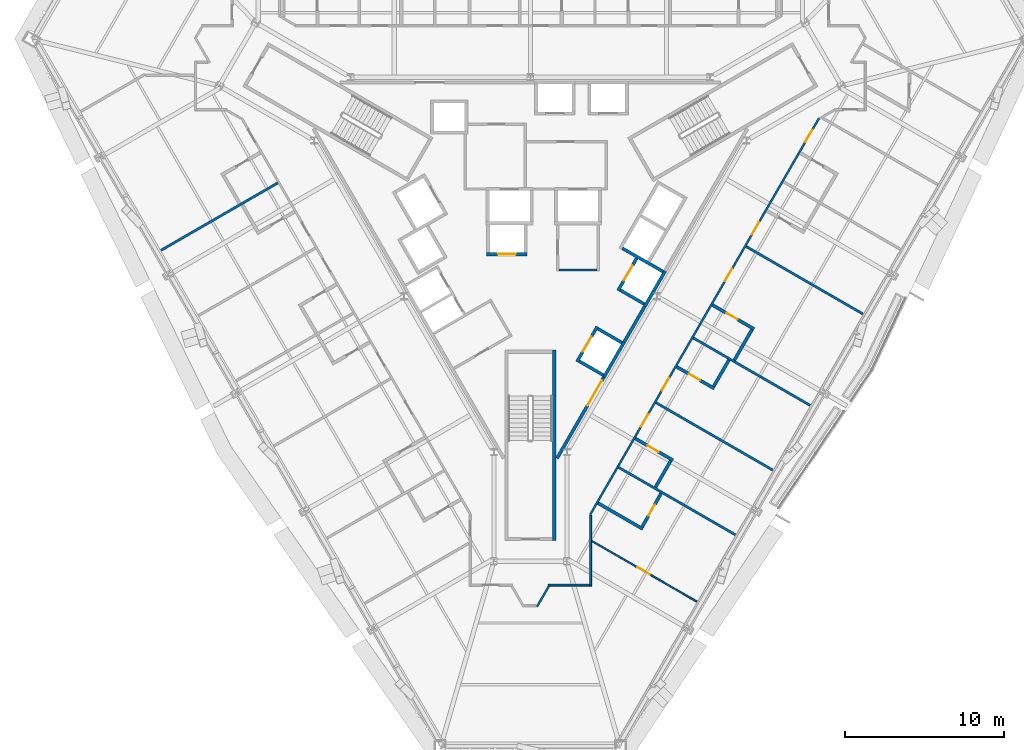
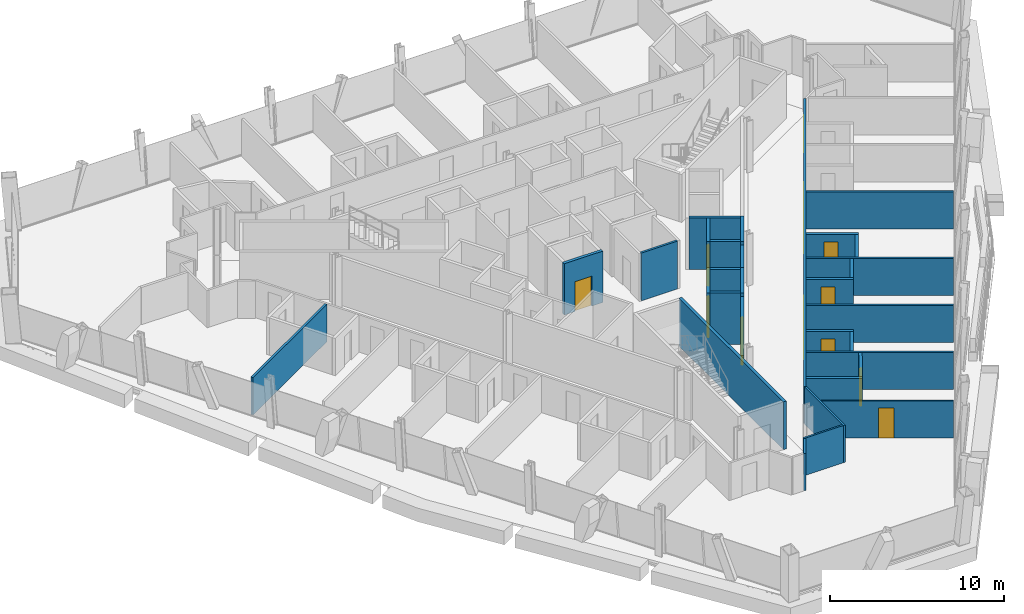
# One storey, part 9 of 15: 31 walls, 14 doors, 14 openings.
"""IFC4 building model written with IfcOpenShell, lengths in metres."""

from ifc_helpers import new_model, si_unit, direction, frame, frame_2d, origin, place, context, subcontext, project, spatial, rectangle, extrude, material, layer, layer_set, type_object, element, fill, save


model = new_model("IFC4")

# Units and contexts
model_context = context("Model", 3, precision=1e-05, world=origin(), true_north=direction((0.0, 1.0)))
body_context = subcontext(model_context, "Body", "Model", "MODEL_VIEW")
ifc_project = project(units=[si_unit("LENGTHUNIT", "METRE"), si_unit("AREAUNIT", "SQUARE_METRE"), si_unit("VOLUMEUNIT", "CUBIC_METRE"), si_unit("PLANEANGLEUNIT", "RADIAN"), si_unit("MASSUNIT", "GRAM", prefix="KILO")], contexts=[model_context])

# Site, building, storey
site_placement = place(None, origin())
site = spatial("IfcSite", under=ifc_project, at=site_placement, CompositionType="ELEMENT")
building_placement = place(site_placement, origin())
building = spatial("IfcBuilding", under=site, at=building_placement, Name="Verrane Prism Tower", CompositionType="ELEMENT")
storey_placement = place(building_placement, frame((0.0, 0.0, 72.800048828125)))
storey = spatial("IfcBuildingStorey", under=building, at=storey_placement, Name="L16", CompositionType="ELEMENT", Elevation=72.800048828125)

# Wall, opening, door
ifc_material_1 = material(Name="Gypsum board partition", Category="other")
ifc_layer_1 = layer(ifc_material_1, 0.199951171875)
ifc_layer_set_1 = layer_set([ifc_layer_1], Name="CW-200 core boundary wall 2 h")
wall_type_1 = type_object("IfcWallType", Name="CW-200 core boundary wall 2 h", PredefinedType="PARTITIONING", material=ifc_layer_set_1)
wall_1_placement = place(storey_placement, frame((1.677490234375, -14.814697265625, 0.0), z_axis=(0.0, 0.0, 1.0), x_axis=(0.49999445743, 0.866028603765, 0.0)))
wall_1 = element("IfcWall", 1, at=wall_1_placement, inside=storey, type_object=wall_type_1, Name="Core boundary wall CW3-003", PredefinedType="PARTITIONING", context=body_context, shape_type="SweptSolid", body=[
    extrude(rectangle(XDim=5.90478515625, YDim=0.199951171875, at=frame_2d((2.952392578125, 0.0))), origin(), (0.0, 0.0, 1.0), 3.349853515625),
])
opening_1_placement = place(wall_1_placement, frame((3.85498046875, 0.0, 0.0)))
opening_1 = element("IfcOpeningElement", 2, at=opening_1_placement, cuts=wall_1, Name="Opening D14517", PredefinedType="OPENING", context=body_context, shape_type="SweptSolid", body=[
    extrude(rectangle(XDim=1.800048828125, YDim=2.10009765625, at=frame_2d((0.89990234375, 1.050048828125))), frame((0.0, 0.10986328125, 0.0), z_axis=(0.0, -1.0, 0.0), x_axis=(1.0, 0.0, 0.0)), (0.0, 0.0, 1.0), 0.219970703125),
])
ifc_material_2 = material(Name="Timber veneered door leaf", Category="wood")
door_type_1 = type_object("IfcDoorType", Name="DR-1800x2100 FD60 double leaf lift lobby", OperationType="NOTDEFINED", PredefinedType="DOOR", material=ifc_material_2)
door_1_placement = place(opening_1_placement, origin())
door_1 = element("IfcDoor", 3, at=door_1_placement, inside=storey, type_object=door_type_1, Name="Lift lobby door D14517", OperationType="DOUBLE_DOOR_SINGLE_SWING", OverallHeight=2.10009765625, OverallWidth=1.800048828125, PredefinedType="DOOR", context=body_context, shape_type="SweptSolid", body=[
    extrude(rectangle(XDim=1.800048828125, YDim=2.10009765625, at=frame_2d((0.89990234375, 1.050048828125))), frame((0.0, 0.02490234375, 0.0), z_axis=(0.0, -1.0, 0.0), x_axis=(1.0, 0.0, 0.0)), (0.0, 0.0, 1.0), 0.050048828125),
])
fill(opening_1, door_1)

# Walls
wall_2_placement = place(storey_placement, frame((5.906005859375, -7.489990234375, 0.0), z_axis=(0.0, 0.0, 1.0), x_axis=(0.500252727967, 0.865879442048, 0.0)))
element("IfcWall", 4, at=wall_2_placement, inside=storey, type_object=wall_type_1, Name="Core boundary wall CW3-005", PredefinedType="PARTITIONING", context=body_context, shape_type="SweptSolid", body=[
    extrude(rectangle(XDim=2.616943359375, YDim=0.199951171875, at=frame_2d((1.30859375, 0.0))), origin(), (0.0, 0.0, 1.0), 3.349853515625),
])
ifc_material_3 = material(Name="Concrete C40/50", Category="concrete")
ifc_layer_2 = layer(ifc_material_3, 0.199951171875)
ifc_layer_set_2 = layer_set([ifc_layer_2], Name="CW-200 stair core wall concrete C40/50 3 h")
wall_type_2 = type_object("IfcWallType", Name="CW-200 stair core wall concrete C40/50 3 h", PredefinedType="PARTITIONING", material=ifc_layer_set_2)
wall_3_placement = place(storey_placement, frame((1.5, -8.0, 0.0), z_axis=(0.0, 0.0, 1.0), x_axis=(0.0, -1.0, 0.0)))
element("IfcWall", 5, at=wall_3_placement, inside=storey, type_object=wall_type_2, Name="Stair 3 enclosure wall", PredefinedType="PARTITIONING", context=body_context, shape_type="SweptSolid", body=[
    extrude(rectangle(XDim=12.0, YDim=0.199951171875, at=frame_2d((6.0, 0.0))), origin(), (0.0, 0.0, 1.0), 3.349853515625),
])

# Wall, opening, door
ifc_material_4 = material(Name="Gypsum board shaft wall assembly", Category="other")
ifc_layer_3 = layer(ifc_material_4, 0.199951171875)
ifc_layer_set_3 = layer_set([ifc_layer_3], Name="HW-200 lift shaft wall 2 h")
wall_type_3 = type_object("IfcWallType", Name="HW-200 lift shaft wall 2 h", PredefinedType="PARTITIONING", material=ifc_layer_set_3)
wall_4_placement = place(storey_placement, frame((-2.7548828125, -1.949951171875, 0.0), z_axis=(0.0, 0.0, 1.0), x_axis=(1.0, 0.0, 0.0)))
wall_4 = element("IfcWall", 6, at=wall_4_placement, inside=storey, type_object=wall_type_3, Name="Lift shaft wall", PredefinedType="PARTITIONING", context=body_context, shape_type="SweptSolid", body=[
    extrude(rectangle(XDim=2.5498046875, YDim=0.199951171875, at=frame_2d((1.27490234375, 0.0))), origin(), (0.0, 0.0, 1.0), 3.599853515625),
])
opening_2_placement = place(wall_4_placement, frame((0.72509765625, 0.0, 0.0)))
opening_2 = element("IfcOpeningElement", 7, at=opening_2_placement, cuts=wall_4, Name="Opening D14504", PredefinedType="OPENING", context=body_context, shape_type="SweptSolid", body=[
    extrude(rectangle(XDim=1.10009765625, YDim=2.10009765625, at=frame_2d((0.550048828125, 1.050048828125))), frame((0.0, 0.10986328125, 0.0), z_axis=(0.0, -1.0, 0.0), x_axis=(1.0, 0.0, 0.0)), (0.0, 0.0, 1.0), 0.219970703125),
])
ifc_material_5 = material(Name="Stainless steel sliding landing door", Category="steel")
door_type_2 = type_object("IfcDoorType", Name="LD-1100x2100 lift landing door FD90 sliding", OperationType="NOTDEFINED", PredefinedType="DOOR", material=ifc_material_5)
door_2_placement = place(opening_2_placement, origin())
door_2 = element("IfcDoor", 8, at=door_2_placement, inside=storey, type_object=door_type_2, Name="Bank A lift 2 landing door", OperationType="SLIDING_TO_RIGHT", OverallHeight=2.10009765625, OverallWidth=1.10009765625, PredefinedType="DOOR", context=body_context, shape_type="SweptSolid", body=[
    extrude(rectangle(XDim=1.10009765625, YDim=2.10009765625, at=frame_2d((0.550048828125, 1.050048828125))), frame((0.0, 0.02490234375, 0.0), z_axis=(0.0, -1.0, 0.0), x_axis=(1.0, 0.0, 0.0)), (0.0, 0.0, 1.0), 0.050048828125),
])
fill(opening_2, door_2)

# Walls
wall_5_placement = place(storey_placement, frame((4.63037109375, -9.69970703125, 0.0), z_axis=(0.0, 0.0, 1.0), x_axis=(0.500062241894, 0.865989465428, 0.0)))
element("IfcWall", 9, at=wall_5_placement, inside=storey, type_object=wall_type_3, Name="Lift shaft wall", PredefinedType="PARTITIONING", context=body_context, shape_type="SweptSolid", body=[
    extrude(rectangle(XDim=2.550048828125, YDim=0.199951171875, at=frame_2d((1.27490234375, 0.0))), origin(), (0.0, 0.0, 1.0), 3.599853515625),
])
wall_6_placement = place(storey_placement, frame((7.215576171875, -5.222412109375, 0.0), z_axis=(0.0, 0.0, 1.0), x_axis=(0.499990435942, 0.866030925526, 0.0)))
element("IfcWall", 10, at=wall_6_placement, inside=storey, type_object=wall_type_3, Name="Lift shaft wall", PredefinedType="PARTITIONING", context=body_context, shape_type="SweptSolid", body=[
    extrude(rectangle(XDim=2.5498046875, YDim=0.199951171875, at=frame_2d((1.27490234375, 0.0))), origin(), (0.0, 0.0, 1.0), 3.599853515625),
])

# Wall, opening, door
wall_7_placement = place(storey_placement, frame((2.941650390625, -8.724853515625, 0.0), z_axis=(0.0, 0.0, 1.0), x_axis=(0.500020783669, 0.866013403995, 0.0)))
wall_7 = element("IfcWall", 11, at=wall_7_placement, inside=storey, type_object=wall_type_3, Name="Lift shaft wall", PredefinedType="PARTITIONING", context=body_context, shape_type="SweptSolid", body=[
    extrude(rectangle(XDim=2.55029296875, YDim=0.199951171875, at=frame_2d((1.275146484375, 0.0))), origin(), (0.0, 0.0, 1.0), 3.599853515625),
])
opening_3_placement = place(wall_7_placement, frame((0.72509765625, 0.0, 0.0)))
opening_3 = element("IfcOpeningElement", 12, at=opening_3_placement, cuts=wall_7, Name="Opening D14506", PredefinedType="OPENING", context=body_context, shape_type="SweptSolid", body=[
    extrude(rectangle(XDim=1.10009765625, YDim=2.10009765625, at=frame_2d((0.550048828125, 1.050048828125))), frame((0.0, 0.10986328125, 0.0), z_axis=(0.0, -1.0, 0.0), x_axis=(1.0, 0.0, 0.0)), (0.0, 0.0, 1.0), 0.219970703125),
])
door_3_placement = place(opening_3_placement, origin())
door_3 = element("IfcDoor", 13, at=door_3_placement, inside=storey, type_object=door_type_2, Name="Bank A lift 4 landing door", OperationType="SLIDING_TO_RIGHT", OverallHeight=2.10009765625, OverallWidth=1.10009765625, PredefinedType="DOOR", context=body_context, shape_type="SweptSolid", body=[
    extrude(rectangle(XDim=1.10009765625, YDim=2.10009765625, at=frame_2d((0.550048828125, 1.050048828125))), frame((0.0, 0.02490234375, 0.0), z_axis=(0.0, -1.0, 0.0), x_axis=(1.0, 0.0, 0.0)), (0.0, 0.0, 1.0), 0.050048828125),
])
fill(opening_3, door_3)

wall_8_placement = place(storey_placement, frame((5.52685546875, -4.247314453125, 0.0), z_axis=(0.0, 0.0, 1.0), x_axis=(0.499938297808, 0.866061024631, 0.0)))
wall_8 = element("IfcWall", 14, at=wall_8_placement, inside=storey, type_object=wall_type_3, Name="Lift shaft wall", PredefinedType="PARTITIONING", context=body_context, shape_type="SweptSolid", body=[
    extrude(rectangle(XDim=2.349853515625, YDim=0.199951171875, at=frame_2d((1.1748046875, 0.0))), origin(), (0.0, 0.0, 1.0), 3.599853515625),
])
opening_4_placement = place(wall_8_placement, frame((0.72509765625, 0.0, 0.0)))
opening_4 = element("IfcOpeningElement", 15, at=opening_4_placement, cuts=wall_8, Name="Opening D14507", PredefinedType="OPENING", context=body_context, shape_type="SweptSolid", body=[
    extrude(rectangle(XDim=1.10009765625, YDim=2.10009765625, at=frame_2d((0.550048828125, 1.050048828125))), frame((0.0, 0.10986328125, 0.0), z_axis=(0.0, -1.0, 0.0), x_axis=(1.0, 0.0, 0.0)), (0.0, 0.0, 1.0), 0.219970703125),
])
door_4_placement = place(opening_4_placement, origin())
door_4 = element("IfcDoor", 16, at=door_4_placement, inside=storey, type_object=door_type_2, Name="Bank A lift 5 landing door", OperationType="SLIDING_TO_LEFT", OverallHeight=2.10009765625, OverallWidth=1.10009765625, PredefinedType="DOOR", context=body_context, shape_type="SweptSolid", body=[
    extrude(rectangle(XDim=1.10009765625, YDim=2.10009765625, at=frame_2d((0.550048828125, 1.050048828125))), frame((0.0, 0.02490234375, 0.0), z_axis=(0.0, -1.0, 0.0), x_axis=(1.0, 0.0, 0.0)), (0.0, 0.0, 1.0), 0.050048828125),
])
fill(opening_4, door_4)

# Walls
wall_9_placement = place(storey_placement, frame((8.35400390625, -3.050537109375, 0.0), z_axis=(0.0, 0.0, 1.0), x_axis=(-0.866060182126, 0.499939757307, 0.0)))
element("IfcWall", 17, at=wall_9_placement, inside=storey, type_object=wall_type_3, Name="Lift shaft wall", PredefinedType="PARTITIONING", context=body_context, shape_type="SweptSolid", body=[
    extrude(rectangle(XDim=2.949951171875, YDim=0.199951171875, at=frame_2d((1.47509765625, 0.0))), origin(), (0.0, 0.0, 1.0), 3.599853515625),
])
wall_10_placement = place(storey_placement, frame((7.178955078125, -5.085693359375, 0.0), z_axis=(0.0, 0.0, 1.0), x_axis=(-0.866036909293, 0.499980071345, 0.0)))
element("IfcWall", 18, at=wall_10_placement, inside=storey, type_object=wall_type_3, Name="Lift shaft wall", PredefinedType="PARTITIONING", context=body_context, shape_type="SweptSolid", body=[
    extrude(rectangle(XDim=1.75, YDim=0.199951171875, at=frame_2d((0.875, 0.0))), origin(), (0.0, 0.0, 1.0), 3.599853515625),
])
wall_11_placement = place(storey_placement, frame((5.768798828125, -7.528076171875, 0.0), z_axis=(0.0, 0.0, 1.0), x_axis=(-0.866002029911, 0.500040482552, 0.0)))
element("IfcWall", 19, at=wall_11_placement, inside=storey, type_object=wall_type_3, Name="Lift shaft wall", PredefinedType="PARTITIONING", context=body_context, shape_type="SweptSolid", body=[
    extrude(rectangle(XDim=1.749755859375, YDim=0.199951171875, at=frame_2d((0.875, 0.0))), origin(), (0.0, 0.0, 1.0), 3.599853515625),
])
wall_12_placement = place(storey_placement, frame((4.593994140625, -9.563232421875, 0.0), z_axis=(0.0, 0.0, 1.0), x_axis=(-0.866036909293, 0.499980071345, 0.0)))
element("IfcWall", 20, at=wall_12_placement, inside=storey, type_object=wall_type_3, Name="Lift shaft wall", PredefinedType="PARTITIONING", context=body_context, shape_type="SweptSolid", body=[
    extrude(rectangle(XDim=1.75, YDim=0.199951171875, at=frame_2d((0.875, 0.0))), origin(), (0.0, 0.0, 1.0), 3.599853515625),
])

# Wall, opening, door
ifc_material_6 = material(Name="Gypsum board partition", Category="other")
ifc_layer_4 = layer(ifc_material_6, 0.10009765625)
ifc_layer_set_4 = layer_set([ifc_layer_4], Name="PW-100 room partition")
wall_type_4 = type_object("IfcWallType", Name="PW-100 room partition", PredefinedType="PARTITIONING", material=ifc_layer_set_4)
wall_13_placement = place(storey_placement, frame((3.884521484375, -20.027587890625, 0.0), z_axis=(0.0, 0.0, 1.0), x_axis=(0.866080975745, -0.499903734186, 0.0)))
wall_13 = element("IfcWall", 21, at=wall_13_placement, inside=storey, type_object=wall_type_4, Name="Room partition 055", PredefinedType="PARTITIONING", context=body_context, shape_type="SweptSolid", body=[
    extrude(rectangle(XDim=7.61669921875, YDim=0.10009765625, at=frame_2d((3.808349609375, 0.0))), origin(), (0.0, 0.0, 1.0), 2.613037109375),
])
opening_5_placement = place(wall_13_placement, frame((3.299072265625, 0.0, 0.0)))
opening_5 = element("IfcOpeningElement", 22, at=opening_5_placement, cuts=wall_13, Name="Opening D14002", PredefinedType="OPENING", context=body_context, shape_type="SweptSolid", body=[
    extrude(rectangle(XDim=0.89990234375, YDim=2.10009765625, at=frame_2d((0.449951171875, 1.050048828125))), frame((0.0, 0.06005859375, 0.0), z_axis=(0.0, -1.0, 0.0), x_axis=(1.0, 0.0, 0.0)), (0.0, 0.0, 1.0), 0.1201171875),
])
ifc_material_7 = material(Name="Timber veneered door leaf", Category="wood")
door_type_3 = type_object("IfcDoorType", Name="DR-900x2100 single leaf inner", OperationType="NOTDEFINED", PredefinedType="DOOR", material=ifc_material_7)
door_5_placement = place(opening_5_placement, origin())
door_5 = element("IfcDoor", 23, at=door_5_placement, inside=storey, type_object=door_type_3, Name="Suite Living Room door", OperationType="SINGLE_SWING_RIGHT", OverallHeight=2.10009765625, OverallWidth=0.89990234375, PredefinedType="DOOR", context=body_context, shape_type="SweptSolid", body=[
    extrude(rectangle(XDim=0.89990234375, YDim=2.10009765625, at=frame_2d((0.449951171875, 1.050048828125))), frame((0.0, 0.02490234375, 0.0), z_axis=(0.0, -1.0, 0.0), x_axis=(1.0, 0.0, 0.0)), (0.0, 0.0, 1.0), 0.050048828125),
])
fill(opening_5, door_5)

# Walls
ifc_material_8 = material(Name="Gypsum board partition", Category="other")
ifc_layer_5 = layer(ifc_material_8, 0.125)
ifc_layer_set_5 = layer_set([ifc_layer_5], Name="PW-125 corridor wall 1 h")
wall_type_5 = type_object("IfcWallType", Name="PW-125 corridor wall 1 h", PredefinedType="PARTITIONING", material=ifc_layer_set_5)
wall_14_placement = place(storey_placement, frame((0.415771484375, -24.162109375, 0.0), z_axis=(0.0, 0.0, 1.0), x_axis=(0.499609040113, 0.866251006947, 0.0)))
element("IfcWall", 24, at=wall_14_placement, inside=storey, type_object=wall_type_5, Name="Corridor wall 050", PredefinedType="PARTITIONING", context=body_context, shape_type="SweptSolid", body=[
    extrude(rectangle(XDim=1.490966796875, YDim=0.125, at=frame_2d((0.74560546875, 0.0))), origin(), (0.0, 0.0, 1.0), 2.613037109375),
])
wall_15_placement = place(storey_placement, frame((1.140380859375, -22.797119140625, 0.0), z_axis=(0.0, 0.0, 1.0), x_axis=(1.0, 0.0, 0.0)))
element("IfcWall", 25, at=wall_15_placement, inside=storey, type_object=wall_type_5, Name="Corridor wall 051", PredefinedType="PARTITIONING", context=body_context, shape_type="SweptSolid", body=[
    extrude(rectangle(XDim=2.591552734375, YDim=0.125, at=frame_2d((1.2958984375, 0.0))), origin(), (0.0, 0.0, 1.0), 2.613037109375),
])
wall_16_placement = place(storey_placement, frame((3.797119140625, -22.859619140625, 0.0), z_axis=(0.0, 0.0, 1.0), x_axis=(0.0, 1.0, 0.0)))
element("IfcWall", 26, at=wall_16_placement, inside=storey, type_object=wall_type_5, Name="Corridor wall 054", PredefinedType="PARTITIONING", context=body_context, shape_type="SweptSolid", body=[
    extrude(rectangle(XDim=4.470703125, YDim=0.125, at=frame_2d((2.2353515625, 0.0))), origin(), (0.0, 0.0, 1.0), 2.613037109375),
])

# Wall, openings, doors
wall_17_placement = place(storey_placement, frame((18.17919921875, 6.606201171875, 0.0), z_axis=(0.0, 0.0, 1.0), x_axis=(-0.500003973642, -0.866023109589, 0.0)))
wall_17 = element("IfcWall", 27, at=wall_17_placement, inside=storey, type_object=wall_type_5, Name="Corridor wall 056", PredefinedType="PARTITIONING", context=body_context, shape_type="SweptSolid", body=[
    extrude(rectangle(XDim=28.826416015625, YDim=0.125, at=frame_2d((14.4130859375, 0.0))), origin(), (0.0, 0.0, 1.0), 2.613037109375),
])
opening_6_placement = place(wall_17_placement, frame((21.5009765625, 0.0, 0.0)))
opening_6 = element("IfcOpeningElement", 28, at=opening_6_placement, cuts=wall_17, Name="Opening D14004", PredefinedType="OPENING", context=body_context, shape_type="SweptSolid", body=[
    extrude(rectangle(XDim=0.89990234375, YDim=2.10009765625, at=frame_2d((0.449951171875, 1.050048828125))), frame((0.0, 0.072509765625, 0.0), z_axis=(0.0, -1.0, 0.0), x_axis=(1.0, 0.0, 0.0)), (0.0, 0.0, 1.0), 0.14501953125),
])
opening_7_placement = place(wall_17_placement, frame((18.89404296875, 0.0, 0.0)))
opening_7 = element("IfcOpeningElement", 29, at=opening_7_placement, cuts=wall_17, Name="Opening D14006", PredefinedType="OPENING", context=body_context, shape_type="SweptSolid", body=[
    extrude(rectangle(XDim=0.89990234375, YDim=2.10009765625, at=frame_2d((0.449951171875, 1.050048828125))), frame((0.0, 0.072509765625, 0.0), z_axis=(0.0, -1.0, 0.0), x_axis=(1.0, 0.0, 0.0)), (0.0, 0.0, 1.0), 0.14501953125),
])
opening_8_placement = place(wall_17_placement, frame((10.93701171875, 0.0, 0.0)))
opening_8 = element("IfcOpeningElement", 30, at=opening_8_placement, cuts=wall_17, Name="Opening D14008", PredefinedType="OPENING", context=body_context, shape_type="SweptSolid", body=[
    extrude(rectangle(XDim=0.89990234375, YDim=2.10009765625, at=frame_2d((0.449951171875, 1.050048828125))), frame((0.0, 0.072509765625, 0.0), z_axis=(0.0, -1.0, 0.0), x_axis=(1.0, 0.0, 0.0)), (0.0, 0.0, 1.0), 0.14501953125),
])
opening_9_placement = place(wall_17_placement, frame((7.534912109375, 0.0, 0.0)))
opening_9 = element("IfcOpeningElement", 31, at=opening_9_placement, cuts=wall_17, Name="Opening D14010", PredefinedType="OPENING", context=body_context, shape_type="SweptSolid", body=[
    extrude(rectangle(XDim=0.89990234375, YDim=2.10009765625, at=frame_2d((0.449951171875, 1.050048828125))), frame((0.0, 0.072509765625, 0.0), z_axis=(0.0, -1.0, 0.0), x_axis=(1.0, 0.0, 0.0)), (0.0, 0.0, 1.0), 0.14501953125),
])
opening_10_placement = place(wall_17_placement, frame((0.826904296875, 0.0, 0.0)))
opening_10 = element("IfcOpeningElement", 32, at=opening_10_placement, cuts=wall_17, Name="Opening D14012", PredefinedType="OPENING", context=body_context, shape_type="SweptSolid", body=[
    extrude(rectangle(XDim=0.89990234375, YDim=2.10009765625, at=frame_2d((0.449951171875, 1.050048828125))), frame((0.0, 0.072509765625, 0.0), z_axis=(0.0, -1.0, 0.0), x_axis=(1.0, 0.0, 0.0)), (0.0, 0.0, 1.0), 0.14501953125),
])
ifc_material_9 = material(Name="Timber veneered door leaf", Category="wood")
door_type_4 = type_object("IfcDoorType", Name="DR-900x2100 FD20 single leaf unit", OperationType="NOTDEFINED", PredefinedType="DOOR", material=ifc_material_9)
door_6_placement = place(opening_6_placement, origin())
door_6 = element("IfcDoor", 33, at=door_6_placement, inside=storey, type_object=door_type_4, Name="Guest Room door", OperationType="SINGLE_SWING_LEFT", OverallHeight=2.10009765625, OverallWidth=0.89990234375, PredefinedType="DOOR", context=body_context, shape_type="SweptSolid", body=[
    extrude(rectangle(XDim=0.89990234375, YDim=2.10009765625, at=frame_2d((0.449951171875, 1.050048828125))), frame((0.0, 0.02490234375, 0.0), z_axis=(0.0, -1.0, 0.0), x_axis=(1.0, 0.0, 0.0)), (0.0, 0.0, 1.0), 0.050048828125),
])
fill(opening_6, door_6)
door_7_placement = place(opening_7_placement, origin())
door_7 = element("IfcDoor", 34, at=door_7_placement, inside=storey, type_object=door_type_4, Name="Guest Room door", OperationType="SINGLE_SWING_LEFT", OverallHeight=2.10009765625, OverallWidth=0.89990234375, PredefinedType="DOOR", context=body_context, shape_type="SweptSolid", body=[
    extrude(rectangle(XDim=0.89990234375, YDim=2.10009765625, at=frame_2d((0.449951171875, 1.050048828125))), frame((0.0, 0.02490234375, 0.0), z_axis=(0.0, -1.0, 0.0), x_axis=(1.0, 0.0, 0.0)), (0.0, 0.0, 1.0), 0.050048828125),
])
fill(opening_7, door_7)
door_8_placement = place(opening_8_placement, origin())
door_8 = element("IfcDoor", 35, at=door_8_placement, inside=storey, type_object=door_type_4, Name="Junior Suite door", OperationType="SINGLE_SWING_LEFT", OverallHeight=2.10009765625, OverallWidth=0.89990234375, PredefinedType="DOOR", context=body_context, shape_type="SweptSolid", body=[
    extrude(rectangle(XDim=0.89990234375, YDim=2.10009765625, at=frame_2d((0.449951171875, 1.050048828125))), frame((0.0, 0.02490234375, 0.0), z_axis=(0.0, -1.0, 0.0), x_axis=(1.0, 0.0, 0.0)), (0.0, 0.0, 1.0), 0.050048828125),
])
fill(opening_8, door_8)
door_9_placement = place(opening_9_placement, origin())
door_9 = element("IfcDoor", 36, at=door_9_placement, inside=storey, type_object=door_type_4, Name="Guest Room door", OperationType="SINGLE_SWING_LEFT", OverallHeight=2.10009765625, OverallWidth=0.89990234375, PredefinedType="DOOR", context=body_context, shape_type="SweptSolid", body=[
    extrude(rectangle(XDim=0.89990234375, YDim=2.10009765625, at=frame_2d((0.449951171875, 1.050048828125))), frame((0.0, 0.02490234375, 0.0), z_axis=(0.0, -1.0, 0.0), x_axis=(1.0, 0.0, 0.0)), (0.0, 0.0, 1.0), 0.050048828125),
])
fill(opening_9, door_9)
door_10_placement = place(opening_10_placement, origin())
door_10 = element("IfcDoor", 37, at=door_10_placement, inside=storey, type_object=door_type_4, Name="Guest Room door", OperationType="SINGLE_SWING_LEFT", OverallHeight=2.10009765625, OverallWidth=0.89990234375, PredefinedType="DOOR", context=body_context, shape_type="SweptSolid", body=[
    extrude(rectangle(XDim=0.89990234375, YDim=2.10009765625, at=frame_2d((0.449951171875, 1.050048828125))), frame((0.0, 0.02490234375, 0.0), z_axis=(0.0, -1.0, 0.0), x_axis=(1.0, 0.0, 0.0)), (0.0, 0.0, 1.0), 0.050048828125),
])
fill(opening_10, door_10)

# Walls
ifc_material_10 = material(Name="Gypsum board partition", Category="other")
ifc_layer_6 = layer(ifc_material_10, 0.14990234375)
ifc_layer_set_6 = layer_set([ifc_layer_6], Name="PW-150 demising wall 1 h")
wall_type_6 = type_object("IfcWallType", Name="PW-150 demising wall 1 h", PredefinedType="PARTITIONING", material=ifc_layer_set_6)
wall_18_placement = place(storey_placement, frame((-23.26025390625, -1.701171875, 0.0), z_axis=(0.0, 0.0, 1.0), x_axis=(0.866027021296, 0.499997198377, 0.0)))
element("IfcWall", 38, at=wall_18_placement, inside=storey, type_object=wall_type_6, Name="Demising wall 003", PredefinedType="PARTITIONING", context=body_context, shape_type="SweptSolid", body=[
    extrude(rectangle(XDim=8.48681640625, YDim=0.14990234375, at=frame_2d((4.243408203125, 0.0))), origin(), (0.0, 0.0, 1.0), 2.613037109375),
])
wall_19_placement = place(storey_placement, frame((5.55810546875, -15.38037109375, 0.0), z_axis=(0.0, 0.0, 1.0), x_axis=(0.866022790583, -0.50000452617, 0.0)))
element("IfcWall", 39, at=wall_19_placement, inside=storey, type_object=wall_type_6, Name="Demising wall 060", PredefinedType="PARTITIONING", context=body_context, shape_type="SweptSolid", body=[
    extrude(rectangle(XDim=8.4912109375, YDim=0.14990234375, at=frame_2d((4.24560546875, 0.0))), origin(), (0.0, 0.0, 1.0), 2.613037109375),
])
for number, where, z_axis, x_axis, name in (
    (40, (7.9111328125, -11.30322265625, 0.0), (0.0, 0.0, 1.0), (0.866012267213, -0.500022752519, 0.0), "Demising wall 065"),
    (41, (10.26513671875, -7.226318359375, 0.0), (0.0, 0.0, 1.0), (0.866024716685, -0.500001190089, 0.0), "Demising wall 068"),
):
    element("IfcWall", number, at=place(storey_placement, frame(where, z_axis=z_axis, x_axis=x_axis)), inside=storey, type_object=wall_type_6, Name=name, PredefinedType="PARTITIONING", context=body_context, shape_type="SweptSolid", body=[
        extrude(rectangle(XDim=8.49169921875, YDim=0.14990234375, at=frame_2d((4.245849609375, 0.0))), origin(), (0.0, 0.0, 1.0), 2.613037109375),
    ])
wall_20_placement = place(storey_placement, frame((13.591064453125, -1.46630859375, 0.0), z_axis=(0.0, 0.0, 1.0), x_axis=(0.866022790583, -0.50000452617, 0.0)))
element("IfcWall", 42, at=wall_20_placement, inside=storey, type_object=wall_type_6, Name="Demising wall 074", PredefinedType="PARTITIONING", context=body_context, shape_type="SweptSolid", body=[
    extrude(rectangle(XDim=8.4912109375, YDim=0.14990234375, at=frame_2d((4.24560546875, 0.0))), origin(), (0.0, 0.0, 1.0), 2.613037109375),
])
ifc_material_11 = material(Name="Gypsum board partition", Category="other")
ifc_layer_7 = layer(ifc_material_11, 0.199951171875)
ifc_layer_set_7 = layer_set([ifc_layer_7], Name="PW-200 plumbing wall")
wall_type_7 = type_object("IfcWallType", Name="PW-200 plumbing wall", PredefinedType="PARTITIONING", material=ifc_layer_set_7)
wall_21_placement = place(storey_placement, frame((4.258056640625, -17.63134765625, 0.0), z_axis=(0.0, 0.0, 1.0), x_axis=(0.865982457891, -0.500074377092, 0.0)))
element("IfcWall", 43, at=wall_21_placement, inside=storey, type_object=wall_type_7, Name="Plumbing wall 059", PredefinedType="PARTITIONING", context=body_context, shape_type="SweptSolid", body=[
    extrude(rectangle(XDim=3.2626953125, YDim=0.199951171875, at=frame_2d((1.63134765625, 0.0))), origin(), (0.0, 0.0, 1.0), 2.613037109375),
])

# Wall, opening, door
wall_22_placement = place(storey_placement, frame((8.978515625, -14.929931640625, 0.0), z_axis=(0.0, 0.0, 1.0), x_axis=(-0.866005850709, 0.50003386539, 0.0)))
wall_22 = element("IfcWall", 44, at=wall_22_placement, inside=storey, type_object=wall_type_7, Name="Plumbing wall 062", PredefinedType="PARTITIONING", context=body_context, shape_type="SweptSolid", body=[
    extrude(rectangle(XDim=2.737060546875, YDim=0.199951171875, at=frame_2d((1.36865234375, 0.0))), origin(), (0.0, 0.0, 1.0), 2.613037109375),
])
opening_11_placement = place(wall_22_placement, frame((1.0498046875, 0.0, 0.0)))
opening_11 = element("IfcOpeningElement", 45, at=opening_11_placement, cuts=wall_22, Name="Opening D14005", PredefinedType="OPENING", context=body_context, shape_type="SweptSolid", body=[
    extrude(rectangle(XDim=0.800048828125, YDim=2.10009765625, at=frame_2d((0.39990234375, 1.050048828125))), frame((0.0, 0.10986328125, 0.0), z_axis=(0.0, -1.0, 0.0), x_axis=(1.0, 0.0, 0.0)), (0.0, 0.0, 1.0), 0.219970703125),
])
ifc_material_12 = material(Name="Timber veneered door leaf", Category="wood")
door_type_5 = type_object("IfcDoorType", Name="DR-800x2100 single leaf bath", OperationType="NOTDEFINED", PredefinedType="DOOR", material=ifc_material_12)
door_11_placement = place(opening_11_placement, origin())
door_11 = element("IfcDoor", 46, at=door_11_placement, inside=storey, type_object=door_type_5, Name="En-Suite door", OperationType="SINGLE_SWING_RIGHT", OverallHeight=2.10009765625, OverallWidth=0.800048828125, PredefinedType="DOOR", context=body_context, shape_type="SweptSolid", body=[
    extrude(rectangle(XDim=0.800048828125, YDim=2.10009765625, at=frame_2d((0.39990234375, 1.050048828125))), frame((0.0, 0.02490234375, 0.0), z_axis=(0.0, -1.0, 0.0), x_axis=(1.0, 0.0, 0.0)), (0.0, 0.0, 1.0), 0.050048828125),
])
fill(opening_11, door_11)

wall_23_placement = place(storey_placement, frame((7.048583984375, -19.12158203125, 0.0), z_axis=(0.0, 0.0, 1.0), x_axis=(0.491544985814, 0.870852184312, 0.0)))
wall_23 = element("IfcWall", 47, at=wall_23_placement, inside=storey, type_object=wall_type_7, Name="Plumbing wall 063", PredefinedType="PARTITIONING", context=body_context, shape_type="SweptSolid", body=[
    extrude(rectangle(XDim=2.4189453125, YDim=0.199951171875, at=frame_2d((1.20947265625, 0.0))), origin(), (0.0, 0.0, 1.0), 2.613037109375),
])
opening_12_placement = place(wall_23_placement, frame((0.794921875, 0.0, 0.0)))
opening_12 = element("IfcOpeningElement", 48, at=opening_12_placement, cuts=wall_23, Name="Opening D14003", PredefinedType="OPENING", context=body_context, shape_type="SweptSolid", body=[
    extrude(rectangle(XDim=0.800048828125, YDim=2.10009765625, at=frame_2d((0.39990234375, 1.050048828125))), frame((0.0, 0.10986328125, 0.0), z_axis=(0.0, -1.0, 0.0), x_axis=(1.0, 0.0, 0.0)), (0.0, 0.0, 1.0), 0.219970703125),
])
door_12_placement = place(opening_12_placement, origin())
door_12 = element("IfcDoor", 49, at=door_12_placement, inside=storey, type_object=door_type_5, Name="En-Suite door", OperationType="SINGLE_SWING_LEFT", OverallHeight=2.10009765625, OverallWidth=0.800048828125, PredefinedType="DOOR", context=body_context, shape_type="SweptSolid", body=[
    extrude(rectangle(XDim=0.800048828125, YDim=2.10009765625, at=frame_2d((0.39990234375, 1.050048828125))), frame((0.0, 0.02490234375, 0.0), z_axis=(0.0, -1.0, 0.0), x_axis=(1.0, 0.0, 0.0)), (0.0, 0.0, 1.0), 0.050048828125),
])
fill(opening_12, door_12)

# Wall
wall_24_placement = place(storey_placement, frame((7.882080078125, -16.629638671875, 0.0), z_axis=(0.0, 0.0, 1.0), x_axis=(0.499913221443, 0.866075499611, 0.0)))
element("IfcWall", 50, at=wall_24_placement, inside=storey, type_object=wall_type_7, Name="Plumbing wall 064", PredefinedType="PARTITIONING", context=body_context, shape_type="SweptSolid", body=[
    extrude(rectangle(XDim=1.920166015625, YDim=0.199951171875, at=frame_2d((0.9599609375, 0.0))), origin(), (0.0, 0.0, 1.0), 2.613037109375),
])

# Wall, opening, door
wall_25_placement = place(storey_placement, frame((9.215087890625, -9.045166015625, 0.0), z_axis=(0.0, 0.0, 1.0), x_axis=(0.865989529477, -0.500062130976, 0.0)))
wall_25 = element("IfcWall", 51, at=wall_25_placement, inside=storey, type_object=wall_type_7, Name="Plumbing wall 067", PredefinedType="PARTITIONING", context=body_context, shape_type="SweptSolid", body=[
    extrude(rectangle(XDim=2.737548828125, YDim=0.199951171875, at=frame_2d((1.36865234375, 0.0))), origin(), (0.0, 0.0, 1.0), 2.613037109375),
])
opening_13_placement = place(wall_25_placement, frame((0.887451171875, 0.0, 0.0)))
opening_13 = element("IfcOpeningElement", 52, at=opening_13_placement, cuts=wall_25, Name="Opening D14007", PredefinedType="OPENING", context=body_context, shape_type="SweptSolid", body=[
    extrude(rectangle(XDim=0.800048828125, YDim=2.10009765625, at=frame_2d((0.39990234375, 1.050048828125))), frame((0.0, 0.10986328125, 0.0), z_axis=(0.0, -1.0, 0.0), x_axis=(1.0, 0.0, 0.0)), (0.0, 0.0, 1.0), 0.219970703125),
])
door_13_placement = place(opening_13_placement, origin())
door_13 = element("IfcDoor", 53, at=door_13_placement, inside=storey, type_object=door_type_5, Name="En-Suite door", OperationType="SINGLE_SWING_LEFT", OverallHeight=2.10009765625, OverallWidth=0.800048828125, PredefinedType="DOOR", context=body_context, shape_type="SweptSolid", body=[
    extrude(rectangle(XDim=0.800048828125, YDim=2.10009765625, at=frame_2d((0.39990234375, 1.050048828125))), frame((0.0, 0.02490234375, 0.0), z_axis=(0.0, -1.0, 0.0), x_axis=(1.0, 0.0, 0.0)), (0.0, 0.0, 1.0), 0.050048828125),
])
fill(opening_13, door_13)

wall_26_placement = place(storey_placement, frame((14.095703125, -6.6669921875, 0.0), z_axis=(0.0, 0.0, 1.0), x_axis=(-0.866023634079, 0.500003065207, 0.0)))
wall_26 = element("IfcWall", 54, at=wall_26_placement, inside=storey, type_object=wall_type_7, Name="Plumbing wall 069", PredefinedType="PARTITIONING", context=body_context, shape_type="SweptSolid", body=[
    extrude(rectangle(XDim=3.03759765625, YDim=0.199951171875, at=frame_2d((1.518798828125, 0.0))), origin(), (0.0, 0.0, 1.0), 2.613037109375),
])
opening_14_placement = place(wall_26_placement, frame((1.199951171875, 0.0, 0.0)))
opening_14 = element("IfcOpeningElement", 55, at=opening_14_placement, cuts=wall_26, Name="Opening D14009", PredefinedType="OPENING", context=body_context, shape_type="SweptSolid", body=[
    extrude(rectangle(XDim=0.800048828125, YDim=2.10009765625, at=frame_2d((0.39990234375, 1.050048828125))), frame((0.0, 0.10986328125, 0.0), z_axis=(0.0, -1.0, 0.0), x_axis=(1.0, 0.0, 0.0)), (0.0, 0.0, 1.0), 0.219970703125),
])
door_14_placement = place(opening_14_placement, origin())
door_14 = element("IfcDoor", 56, at=door_14_placement, inside=storey, type_object=door_type_5, Name="En-Suite door", OperationType="SINGLE_SWING_RIGHT", OverallHeight=2.10009765625, OverallWidth=0.800048828125, PredefinedType="DOOR", context=body_context, shape_type="SweptSolid", body=[
    extrude(rectangle(XDim=0.800048828125, YDim=2.10009765625, at=frame_2d((0.39990234375, 1.050048828125))), frame((0.0, 0.02490234375, 0.0), z_axis=(0.0, -1.0, 0.0), x_axis=(1.0, 0.0, 0.0)), (0.0, 0.0, 1.0), 0.050048828125),
])
fill(opening_14, door_14)

# Walls
wall_27_placement = place(storey_placement, frame((11.549072265625, -10.27734375, 0.0), z_axis=(0.0, 0.0, 1.0), x_axis=(0.499876134923, 0.86609690551, 0.0)))
element("IfcWall", 57, at=wall_27_placement, inside=storey, type_object=wall_type_7, Name="Plumbing wall 070", PredefinedType="PARTITIONING", context=body_context, shape_type="SweptSolid", body=[
    extrude(rectangle(XDim=1.92529296875, YDim=0.199951171875, at=frame_2d((0.962646484375, 0.0))), origin(), (0.0, 0.0, 1.0), 2.613037109375),
])
wall_28_placement = place(storey_placement, frame((12.846435546875, -8.630126953125, 0.0), z_axis=(0.0, 0.0, 1.0), x_axis=(0.500092923031, 0.865971748, 0.0)))
element("IfcWall", 58, at=wall_28_placement, inside=storey, type_object=wall_type_7, Name="Plumbing wall 071", PredefinedType="PARTITIONING", context=body_context, shape_type="SweptSolid", body=[
    extrude(rectangle(XDim=2.224609375, YDim=0.199951171875, at=frame_2d((1.1123046875, 0.0))), origin(), (0.0, 0.0, 1.0), 2.613037109375),
])
ifc_material_13 = material(Name="Gypsum board partition", Category="other")
ifc_layer_8 = layer(ifc_material_13, 0.14990234375)
ifc_layer_set_8 = layer_set([ifc_layer_8], Name="RS-150 riser enclosure wall 1 h")
wall_type_8 = type_object("IfcWallType", Name="RS-150 riser enclosure wall 1 h", PredefinedType="PARTITIONING", material=ifc_layer_set_8)
wall_29_placement = place(storey_placement, frame((1.800048828125, -2.949951171875, 0.0), z_axis=(0.0, 0.0, 1.0), x_axis=(1.0, 0.0, 0.0)))
element("IfcWall", 59, at=wall_29_placement, inside=storey, type_object=wall_type_8, Name="Riser wall RS3-008", PredefinedType="PARTITIONING", context=body_context, shape_type="SweptSolid", body=[
    extrude(rectangle(XDim=2.39990234375, YDim=0.14990234375, at=frame_2d((1.199951171875, 0.0))), origin(), (0.0, 0.0, 1.0), 3.349853515625),
])

save(model, "model.ifc")
